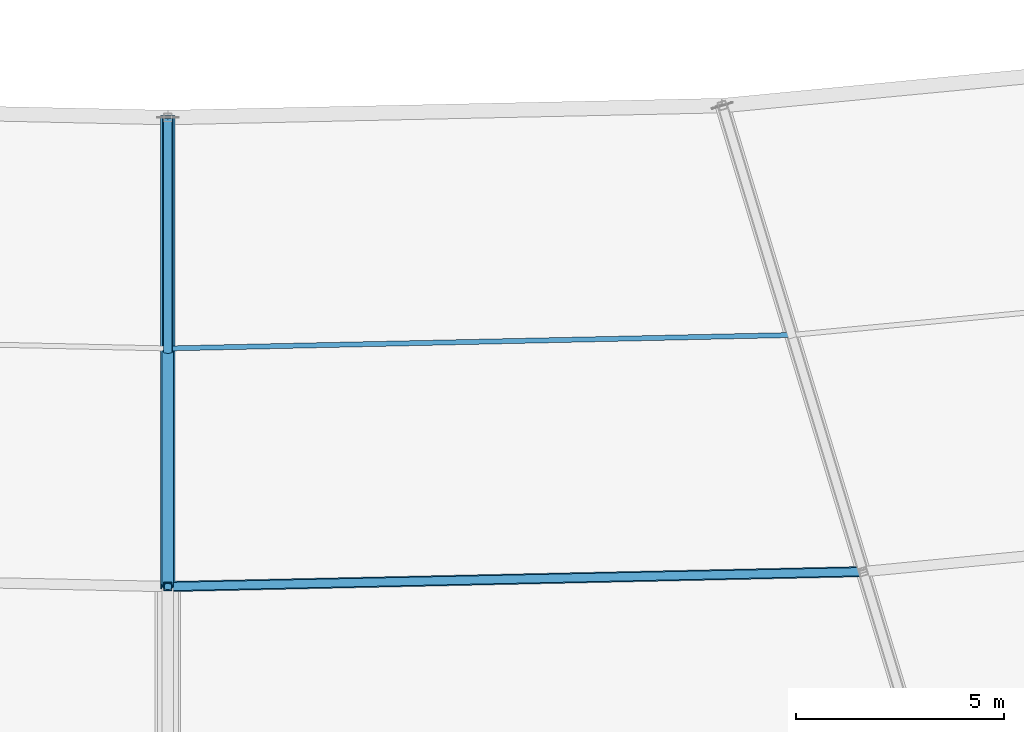
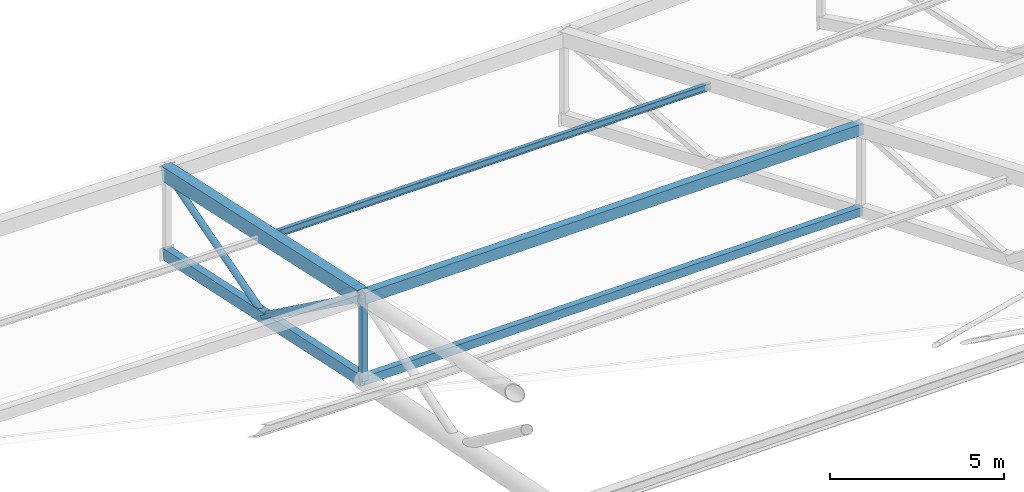
# One storey, part 35 of 143: 5 members, 3 beams.
"""IFC4 building model written with IfcOpenShell, lengths in metres."""

from ifc_helpers import new_model, si_unit, direction, frame, origin, origin_2d, place, context, subcontext, project, spatial, hollow_rectangle, hollow_circle, i_section, extrude, material, material_profile, profile_set, type_object, element, save


model = new_model("IFC4")

# Units and contexts
model_context = context("Model", 3, precision=1e-05, world=origin(), true_north=direction((0.0, 1.0)))
body_context = subcontext(model_context, "Body", "Model", "MODEL_VIEW")
ifc_project = project(units=[si_unit("LENGTHUNIT", "METRE"), si_unit("AREAUNIT", "SQUARE_METRE"), si_unit("VOLUMEUNIT", "CUBIC_METRE"), si_unit("PLANEANGLEUNIT", "RADIAN"), si_unit("MASSUNIT", "GRAM", prefix="KILO")], contexts=[model_context])

# Site, building, storey
site_placement = place(None, origin())
site = spatial("IfcSite", under=ifc_project, at=site_placement, CompositionType="ELEMENT")
building_placement = place(site_placement, origin())
building = spatial("IfcBuilding", under=site, at=building_placement, Name="Mphavela Belvedere Stadium", CompositionType="ELEMENT")
storey_placement = place(building_placement, frame((0.0, 0.0, 28.800048828125)))
storey = spatial("IfcBuildingStorey", under=building, at=storey_placement, Name="RF", CompositionType="ELEMENT", Elevation=28.800048828125)

# Beams
ifc_material_1 = material(Name="Steel S355", Category="steel")
ifc_material_profile_1 = material_profile(ifc_material_1, hollow_rectangle(XDim=0.25, YDim=0.39990234375, WallThickness=0.01611328125, at=origin_2d()), Name="RHS 400x250x16")
ifc_profile_set_1 = profile_set([ifc_material_profile_1], Name="Steel S355")
beam_type_1 = type_object("IfcBeamType", Name="BM-RING-MID", PredefinedType="BEAM", material=ifc_profile_set_1)
beam_1_placement = place(storey_placement, frame((115.0, 31.226318359375, 9.758056640625), z_axis=(0.999741146043, 0.021517679857, -0.007391235561), x_axis=(-0.02151826764, 0.999768455272, 0.0)))
element("IfcBeam", 1, at=beam_1_placement, inside=storey, type_object=beam_type_1, Name="Intermediate roof ring beam RB-MID-37", PredefinedType="BEAM", context=body_context, shape_type="SweptSolid", body=[
    extrude(hollow_rectangle(XDim=0.25, YDim=0.39990234375, WallThickness=0.01611328125, at=origin_2d()), origin(), (0.0, 0.0, 1.0), 16.746826171875),
])
ifc_material_2 = material(Name="Steel S355", Category="steel")
ifc_material_profile_2 = material_profile(ifc_material_2, hollow_rectangle(XDim=0.25, YDim=0.39990234375, WallThickness=0.01611328125, at=origin_2d()), Name="RHS 400x250x16")
ifc_profile_set_2 = profile_set([ifc_material_profile_2], Name="Steel S355")
beam_type_2 = type_object("IfcBeamType", Name="BM-TRUSS-BC2", PredefinedType="BEAM", material=ifc_profile_set_2)
beam_2_placement = place(storey_placement, frame((115.0, 31.226318359375, 6.858154296875), z_axis=(0.0, 0.977926299799, -0.208950118836), x_axis=(-1.0, 0.0, 0.0)))
element("IfcBeam", 2, at=beam_2_placement, inside=storey, type_object=beam_type_2, Name="Radial roof truss RT-37 bottom chord 3", PredefinedType="BEAM", context=body_context, shape_type="SweptSolid", body=[
    extrude(hollow_rectangle(XDim=0.25, YDim=0.39990234375, WallThickness=0.01611328125, at=origin_2d()), origin(), (0.0, 0.0, 1.0), 11.548583984375),
])
ifc_material_3 = material(Name="Steel S355", Category="steel")
ifc_material_profile_3 = material_profile(ifc_material_3, hollow_rectangle(XDim=0.35009765625, YDim=0.5, WallThickness=0.02001953125, at=origin_2d()), Name="RHS 500x350x20")
ifc_profile_set_3 = profile_set([ifc_material_profile_3], Name="Steel S355")
beam_type_3 = type_object("IfcBeamType", Name="BM-TRUSS-TC2", PredefinedType="BEAM", material=ifc_profile_set_3)
beam_3_placement = place(storey_placement, frame((115.0, 31.226318359375, 9.758056640625), z_axis=(0.0, 0.977037190739, -0.213068833744), x_axis=(-1.0, 0.0, 0.0)))
element("IfcBeam", 3, at=beam_3_placement, inside=storey, type_object=beam_type_3, Name="Radial roof truss RT-37 top chord 3", PredefinedType="BEAM", context=body_context, shape_type="SweptSolid", body=[
    extrude(hollow_rectangle(XDim=0.35009765625, YDim=0.5, WallThickness=0.02001953125, at=origin_2d()), origin(), (0.0, 0.0, 1.0), 11.55908203125),
])

# Members
ifc_material_4 = material(Name="Steel S355", Category="steel")
ifc_material_profile_4 = material_profile(ifc_material_4, hollow_circle(Radius=0.109619140625, WallThickness=0.012451171875, at=origin_2d()), Name="CHS 219.1x12.5")
ifc_profile_set_4 = profile_set([ifc_material_profile_4], Name="Steel S355")
member_type_1 = type_object("IfcMemberType", Name="MEM-DIAG-219", PredefinedType="BRACE", material=ifc_profile_set_4)
member_1_placement = place(storey_placement, frame((115.0, 36.873291015625, 5.651611328125), z_axis=(0.0, 0.960155608476, 0.27946593265), x_axis=(-1.0, 0.0, 0.0)))
element("IfcMember", 4, at=member_1_placement, inside=storey, type_object=member_type_1, Name="Radial roof truss RT-37 web diagonal D6", PredefinedType="BRACE", context=body_context, shape_type="SweptSolid", body=[
    extrude(hollow_circle(Radius=0.109619140625, WallThickness=0.012451171875, at=origin_2d()), origin(), (0.0, 0.0, 1.0), 5.881103515625),
])
ifc_material_5 = material(Name="Steel S355", Category="steel")
ifc_material_profile_5 = material_profile(ifc_material_5, hollow_circle(Radius=0.136474609375, WallThickness=0.012451171875, at=origin_2d()), Name="CHS 273x12.5")
ifc_profile_set_5 = profile_set([ifc_material_profile_5], Name="Steel S355")
member_type_2 = type_object("IfcMemberType", Name="MEM-DIAG-273", PredefinedType="BRACE", material=ifc_profile_set_5)
member_2_placement = place(storey_placement, frame((115.0, 31.226318359375, 9.758056640625), z_axis=(0.0, 0.808766324202, -0.588130115567), x_axis=(-1.0, 0.0, 0.0)))
element("IfcMember", 5, at=member_2_placement, inside=storey, type_object=member_type_2, Name="Radial roof truss RT-37 web diagonal D5", PredefinedType="BRACE", context=body_context, shape_type="SweptSolid", body=[
    extrude(hollow_circle(Radius=0.136474609375, WallThickness=0.012451171875, at=origin_2d()), origin(), (0.0, 0.0, 1.0), 6.982177734375),
])
ifc_material_6 = material(Name="Steel S355", Category="steel")
ifc_material_profile_6 = material_profile(ifc_material_6, hollow_rectangle(XDim=0.199951171875, YDim=0.199951171875, WallThickness=0.010009765625, at=origin_2d()), Name="SHS 200x200x10")
ifc_profile_set_6 = profile_set([ifc_material_profile_6], Name="Steel S355")
member_type_3 = type_object("IfcMemberType", Name="MEM-POST-SHS200", PredefinedType="POST", material=ifc_profile_set_6)
member_3_placement = place(storey_placement, frame((115.0, 31.226318359375, 6.858154296875), z_axis=(0.0, 0.0, 1.0), x_axis=(0.0, -1.0, 0.0)))
element("IfcMember", 6, at=member_3_placement, inside=storey, type_object=member_type_3, Name="Radial roof truss RT-37 post P3", PredefinedType="POST", context=body_context, shape_type="SweptSolid", body=[
    extrude(hollow_rectangle(XDim=0.199951171875, YDim=0.199951171875, WallThickness=0.010009765625, at=origin_2d()), origin(), (0.0, 0.0, 1.0), 2.89990234375),
])
ifc_material_7 = material(Name="Steel S355", Category="steel")
ifc_material_profile_7 = material_profile(ifc_material_7, i_section(OverallWidth=0.1201171875, OverallDepth=0.239990234375, WebThickness=0.006103515625, FlangeThickness=0.009765625, at=origin_2d()), Name="IPE 240")
ifc_profile_set_7 = profile_set([ifc_material_profile_7], Name="Steel S355")
member_type_4 = type_object("IfcMemberType", Name="MEM-PURLIN-IPE240", PredefinedType="PURLIN", material=ifc_profile_set_7)
member_4_placement = place(storey_placement, frame((115.0, 36.9599609375, 8.34765625), z_axis=(0.999740873069, 0.021529680576, -0.007393211066), x_axis=(-0.021530269002, 0.999768196892, 0.0)))
element("IfcMember", 7, at=member_4_placement, inside=storey, type_object=member_type_4, Name="Saddle canopy steel purlin 37-1", PredefinedType="PURLIN", context=body_context, shape_type="SweptSolid", body=[
    extrude(i_section(OverallWidth=0.1201171875, OverallDepth=0.239990234375, WebThickness=0.006103515625, FlangeThickness=0.009765625, at=origin_2d()), origin(), (0.0, 0.0, 1.0), 15.025146484375),
])
ifc_material_8 = material(Name="Steel S355", Category="steel")
ifc_material_profile_8 = material_profile(ifc_material_8, hollow_rectangle(XDim=0.199951171875, YDim=0.300048828125, WallThickness=0.011962890625, at=origin_2d()), Name="RHS 300x200x12")
ifc_profile_set_8 = profile_set([ifc_material_profile_8], Name="Steel S355")
member_type_5 = type_object("IfcMemberType", Name="MEM-SEC-CHORD", PredefinedType="CHORD", material=ifc_profile_set_8)
member_5_placement = place(storey_placement, frame((115.0, 31.226318359375, 6.858154296875), z_axis=(0.999741146043, 0.021517679857, -0.007391235561), x_axis=(-0.02151826764, 0.999768455272, 0.0)))
element("IfcMember", 8, at=member_5_placement, inside=storey, type_object=member_type_5, Name="Secondary bottom roof tie chord 37", PredefinedType="CHORD", context=body_context, shape_type="SweptSolid", body=[
    extrude(hollow_rectangle(XDim=0.199951171875, YDim=0.300048828125, WallThickness=0.011962890625, at=origin_2d()), origin(), (0.0, 0.0, 1.0), 16.746826171875),
])

save(model, "model.ifc")
